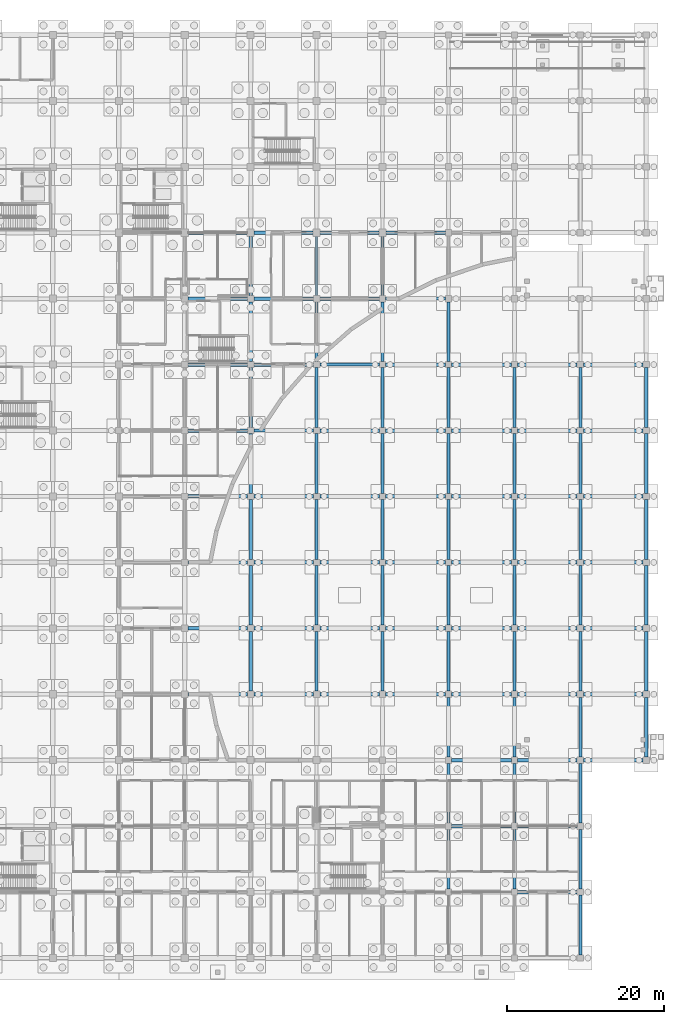
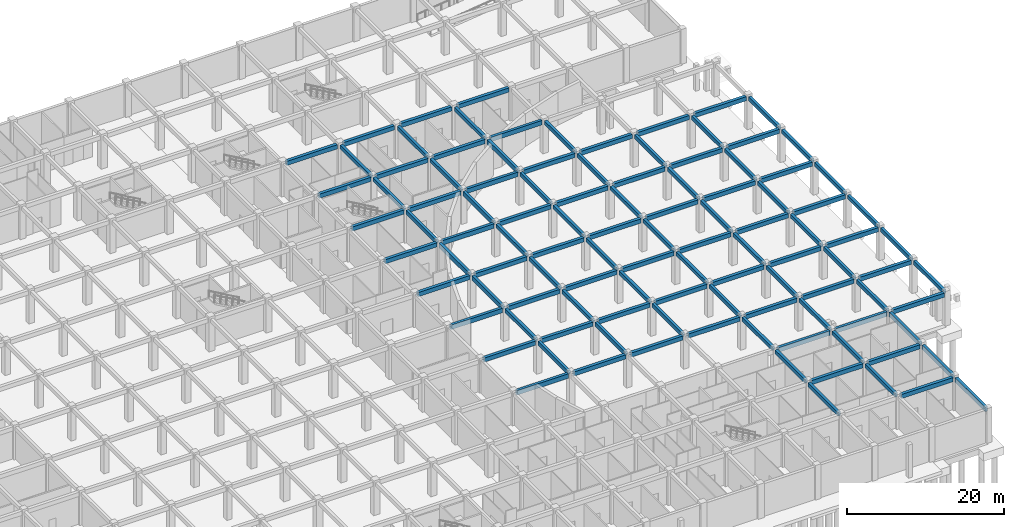
# One storey, part 24 of 65: 109 beams.
"""IFC4 building model written with IfcOpenShell, lengths in metres."""

from ifc_helpers import new_model, si_unit, direction, frame, origin, origin_2d, place, context, subcontext, project, spatial, rectangle, extrude, material, material_profile, profile_set, type_object, element, save


model = new_model("IFC4")

# Units and contexts
model_context = context("Model", 3, precision=1e-05, world=origin(), true_north=direction((0.0, 1.0)))
body_context = subcontext(model_context, "Body", "Model", "MODEL_VIEW")
ifc_project = project(units=[si_unit("LENGTHUNIT", "METRE"), si_unit("AREAUNIT", "SQUARE_METRE"), si_unit("VOLUMEUNIT", "CUBIC_METRE"), si_unit("PLANEANGLEUNIT", "RADIAN"), si_unit("MASSUNIT", "GRAM", prefix="KILO")], contexts=[model_context])

# Site, building, storey
site_placement = place(None, origin())
site = spatial("IfcSite", under=ifc_project, at=site_placement, CompositionType="ELEMENT")
building_placement = place(site_placement, origin())
building = spatial("IfcBuilding", under=site, at=building_placement, Name="Bramfleet General Hospital", CompositionType="ELEMENT")
storey_placement = place(building_placement, frame((0.0, 0.0, -5.39990234375)))
storey = spatial("IfcBuildingStorey", under=building, at=storey_placement, Name="B1", CompositionType="ELEMENT", Elevation=-5.39990234375)

# Beams
ifc_material = material(Name="Concrete C35/45", Category="concrete")
ifc_material_profile_1 = material_profile(ifc_material, rectangle(XDim=0.39990234375, YDim=0.60009765625, at=origin_2d()), Name="RC BM 600x400")
ifc_profile_set_1 = profile_set([ifc_material_profile_1], Name="Concrete C35/45")
beam_type_1 = type_object("IfcBeamType", Name="BM-RC600", PredefinedType="BEAM", material=ifc_profile_set_1)
for number, where, z_axis, x_axis, name in (
    (1, (134.39990234375, 34.0, 4.77978515625), (0.0, 1.0, 0.0), (-1.0, 0.0, 0.0), "B1 Grid Beam Y 16-04"),
    (2, (134.39990234375, 42.39990234375, 4.77978515625), (0.0, 1.0, 0.0), (-1.0, 0.0, 0.0), "B1 Grid Beam Y 16-05"),
):
    element("IfcBeam", number, at=place(storey_placement, frame(where, z_axis=z_axis, x_axis=x_axis)), inside=storey, type_object=beam_type_1, Name=name, PredefinedType="BEAM", context=body_context, shape_type="SweptSolid", body=[
        extrude(rectangle(XDim=0.39990234375, YDim=0.60009765625, at=origin_2d()), origin(), (0.0, 0.0, 1.0), 7.60009765625),
    ])
beam_1_placement = place(storey_placement, frame((134.39990234375, 67.60009765625, 4.77978515625), z_axis=(0.0, 1.0, 0.0), x_axis=(-1.0, 0.0, 0.0)))
element("IfcBeam", 3, at=beam_1_placement, inside=storey, type_object=beam_type_1, Name="B1 Grid Beam Y 16-08", PredefinedType="BEAM", context=body_context, shape_type="SweptSolid", body=[
    extrude(rectangle(XDim=0.39990234375, YDim=0.60009765625, at=origin_2d()), origin(), (0.0, 0.0, 1.0), 7.599853515625),
])
beam_2_placement = place(storey_placement, frame((134.39990234375, 76.0, 4.77978515625), z_axis=(0.0, 1.0, 0.0), x_axis=(-1.0, 0.0, 0.0)))
element("IfcBeam", 4, at=beam_2_placement, inside=storey, type_object=beam_type_1, Name="B1 Grid Beam Y 16-09", PredefinedType="BEAM", context=body_context, shape_type="SweptSolid", body=[
    extrude(rectangle(XDim=0.39990234375, YDim=0.60009765625, at=origin_2d()), origin(), (0.0, 0.0, 1.0), 7.60009765625),
])
beam_3_placement = place(storey_placement, frame((134.39990234375, 84.39990234375, 4.77978515625), z_axis=(0.0, 1.0, 0.0), x_axis=(-1.0, 0.0, 0.0)))
element("IfcBeam", 5, at=beam_3_placement, inside=storey, type_object=beam_type_1, Name="B1 Grid Beam Y 16-10", PredefinedType="BEAM", context=body_context, shape_type="SweptSolid", body=[
    extrude(rectangle(XDim=0.39990234375, YDim=0.60009765625, at=origin_2d()), origin(), (0.0, 0.0, 1.0), 7.550048828125),
])
for number, where, z_axis, x_axis, name in (
    (6, (142.800048828125, 34.0, 4.77978515625), (0.0, 1.0, 0.0), (-1.0, 0.0, 0.0), "B1 Grid Beam Y 17-04"),
    (7, (142.800048828125, 42.39990234375, 4.77978515625), (0.0, 1.0, 0.0), (-1.0, 0.0, 0.0), "B1 Grid Beam Y 17-05"),
):
    element("IfcBeam", number, at=place(storey_placement, frame(where, z_axis=z_axis, x_axis=x_axis)), inside=storey, type_object=beam_type_1, Name=name, PredefinedType="BEAM", context=body_context, shape_type="SweptSolid", body=[
        extrude(rectangle(XDim=0.39990234375, YDim=0.60009765625, at=origin_2d()), origin(), (0.0, 0.0, 1.0), 7.60009765625),
    ])
beam_4_placement = place(storey_placement, frame((142.800048828125, 50.800048828125, 4.77978515625), z_axis=(0.0, 1.0, 0.0), x_axis=(-1.0, 0.0, 0.0)))
element("IfcBeam", 8, at=beam_4_placement, inside=storey, type_object=beam_type_1, Name="B1 Grid Beam Y 17-06", PredefinedType="BEAM", context=body_context, shape_type="SweptSolid", body=[
    extrude(rectangle(XDim=0.39990234375, YDim=0.60009765625, at=origin_2d()), origin(), (0.0, 0.0, 1.0), 7.599853515625),
])
for number, where, z_axis, x_axis, name in (
    (9, (142.800048828125, 59.199951171875, 4.77978515625), (0.0, 1.0, 0.0), (-1.0, 0.0, 0.0), "B1 Grid Beam Y 17-07"),
    (10, (142.800048828125, 76.0, 4.77978515625), (0.0, 1.0, 0.0), (-1.0, 0.0, 0.0), "B1 Grid Beam Y 17-09"),
):
    element("IfcBeam", number, at=place(storey_placement, frame(where, z_axis=z_axis, x_axis=x_axis)), inside=storey, type_object=beam_type_1, Name=name, PredefinedType="BEAM", context=body_context, shape_type="SweptSolid", body=[
        extrude(rectangle(XDim=0.39990234375, YDim=0.60009765625, at=origin_2d()), origin(), (0.0, 0.0, 1.0), 7.60009765625),
    ])
beam_5_placement = place(storey_placement, frame((142.800048828125, 84.39990234375, 4.77978515625), z_axis=(0.0, 1.0, 0.0), x_axis=(-1.0, 0.0, 0.0)))
element("IfcBeam", 11, at=beam_5_placement, inside=storey, type_object=beam_type_1, Name="B1 Grid Beam Y 17-10", PredefinedType="BEAM", context=body_context, shape_type="SweptSolid", body=[
    extrude(rectangle(XDim=0.39990234375, YDim=0.60009765625, at=origin_2d()), origin(), (0.0, 0.0, 1.0), 7.550048828125),
])
for number, where, z_axis, x_axis, name in (
    (12, (151.199951171875, 34.0, 4.77978515625), (0.0, 1.0, 0.0), (-1.0, 0.0, 0.0), "B1 Grid Beam Y 18-04"),
    (13, (151.199951171875, 42.39990234375, 4.77978515625), (0.0, 1.0, 0.0), (-1.0, 0.0, 0.0), "B1 Grid Beam Y 18-05"),
):
    element("IfcBeam", number, at=place(storey_placement, frame(where, z_axis=z_axis, x_axis=x_axis)), inside=storey, type_object=beam_type_1, Name=name, PredefinedType="BEAM", context=body_context, shape_type="SweptSolid", body=[
        extrude(rectangle(XDim=0.39990234375, YDim=0.60009765625, at=origin_2d()), origin(), (0.0, 0.0, 1.0), 7.60009765625),
    ])
beam_6_placement = place(storey_placement, frame((151.199951171875, 50.800048828125, 4.77978515625), z_axis=(0.0, 1.0, 0.0), x_axis=(-1.0, 0.0, 0.0)))
element("IfcBeam", 14, at=beam_6_placement, inside=storey, type_object=beam_type_1, Name="B1 Grid Beam Y 18-06", PredefinedType="BEAM", context=body_context, shape_type="SweptSolid", body=[
    extrude(rectangle(XDim=0.39990234375, YDim=0.60009765625, at=origin_2d()), origin(), (0.0, 0.0, 1.0), 7.599853515625),
])
beam_7_placement = place(storey_placement, frame((151.199951171875, 59.199951171875, 4.77978515625), z_axis=(0.0, 1.0, 0.0), x_axis=(-1.0, 0.0, 0.0)))
element("IfcBeam", 15, at=beam_7_placement, inside=storey, type_object=beam_type_1, Name="B1 Grid Beam Y 18-07", PredefinedType="BEAM", context=body_context, shape_type="SweptSolid", body=[
    extrude(rectangle(XDim=0.39990234375, YDim=0.60009765625, at=origin_2d()), origin(), (0.0, 0.0, 1.0), 7.60009765625),
])
beam_8_placement = place(storey_placement, frame((151.199951171875, 67.60009765625, 4.77978515625), z_axis=(0.0, 1.0, 0.0), x_axis=(-1.0, 0.0, 0.0)))
element("IfcBeam", 16, at=beam_8_placement, inside=storey, type_object=beam_type_1, Name="B1 Grid Beam Y 18-08", PredefinedType="BEAM", context=body_context, shape_type="SweptSolid", body=[
    extrude(rectangle(XDim=0.39990234375, YDim=0.60009765625, at=origin_2d()), origin(), (0.0, 0.0, 1.0), 7.599853515625),
])
beam_9_placement = place(storey_placement, frame((151.199951171875, 84.39990234375, 4.77978515625), z_axis=(0.0, 1.0, 0.0), x_axis=(-1.0, 0.0, 0.0)))
element("IfcBeam", 17, at=beam_9_placement, inside=storey, type_object=beam_type_1, Name="B1 Grid Beam Y 18-10", PredefinedType="BEAM", context=body_context, shape_type="SweptSolid", body=[
    extrude(rectangle(XDim=0.39990234375, YDim=0.60009765625, at=origin_2d()), origin(), (0.0, 0.0, 1.0), 7.550048828125),
])
beam_10_placement = place(storey_placement, frame((159.60009765625, 8.800048828125, 4.77978515625), z_axis=(0.0, 1.0, 0.0), x_axis=(-1.0, 0.0, 0.0)))
element("IfcBeam", 18, at=beam_10_placement, inside=storey, type_object=beam_type_1, Name="B1 Grid Beam Y 19-01", PredefinedType="BEAM", context=body_context, shape_type="SweptSolid", body=[
    extrude(rectangle(XDim=0.39990234375, YDim=0.60009765625, at=origin_2d()), origin(), (0.0, 0.0, 1.0), 7.599853515625),
])
beam_11_placement = place(storey_placement, frame((159.60009765625, 17.199951171875, 4.77978515625), z_axis=(0.0, 1.0, 0.0), x_axis=(-1.0, 0.0, 0.0)))
element("IfcBeam", 19, at=beam_11_placement, inside=storey, type_object=beam_type_1, Name="B1 Grid Beam Y 19-02", PredefinedType="BEAM", context=body_context, shape_type="SweptSolid", body=[
    extrude(rectangle(XDim=0.39990234375, YDim=0.60009765625, at=origin_2d()), origin(), (0.0, 0.0, 1.0), 7.60009765625),
])
beam_12_placement = place(storey_placement, frame((159.60009765625, 25.60009765625, 4.77978515625), z_axis=(0.0, 1.0, 0.0), x_axis=(-1.0, 0.0, 0.0)))
element("IfcBeam", 20, at=beam_12_placement, inside=storey, type_object=beam_type_1, Name="B1 Grid Beam Y 19-03", PredefinedType="BEAM", context=body_context, shape_type="SweptSolid", body=[
    extrude(rectangle(XDim=0.39990234375, YDim=0.60009765625, at=origin_2d()), origin(), (0.0, 0.0, 1.0), 7.599853515625),
])
for number, where, z_axis, x_axis, name in (
    (21, (159.60009765625, 34.0, 4.77978515625), (0.0, 1.0, 0.0), (-1.0, 0.0, 0.0), "B1 Grid Beam Y 19-04"),
    (22, (159.60009765625, 42.39990234375, 4.77978515625), (0.0, 1.0, 0.0), (-1.0, 0.0, 0.0), "B1 Grid Beam Y 19-05"),
):
    element("IfcBeam", number, at=place(storey_placement, frame(where, z_axis=z_axis, x_axis=x_axis)), inside=storey, type_object=beam_type_1, Name=name, PredefinedType="BEAM", context=body_context, shape_type="SweptSolid", body=[
        extrude(rectangle(XDim=0.39990234375, YDim=0.60009765625, at=origin_2d()), origin(), (0.0, 0.0, 1.0), 7.60009765625),
    ])
beam_13_placement = place(storey_placement, frame((159.60009765625, 50.800048828125, 4.77978515625), z_axis=(0.0, 1.0, 0.0), x_axis=(-1.0, 0.0, 0.0)))
element("IfcBeam", 23, at=beam_13_placement, inside=storey, type_object=beam_type_1, Name="B1 Grid Beam Y 19-06", PredefinedType="BEAM", context=body_context, shape_type="SweptSolid", body=[
    extrude(rectangle(XDim=0.39990234375, YDim=0.60009765625, at=origin_2d()), origin(), (0.0, 0.0, 1.0), 7.599853515625),
])
beam_14_placement = place(storey_placement, frame((159.60009765625, 59.199951171875, 4.77978515625), z_axis=(0.0, 1.0, 0.0), x_axis=(-1.0, 0.0, 0.0)))
element("IfcBeam", 24, at=beam_14_placement, inside=storey, type_object=beam_type_1, Name="B1 Grid Beam Y 19-07", PredefinedType="BEAM", context=body_context, shape_type="SweptSolid", body=[
    extrude(rectangle(XDim=0.39990234375, YDim=0.60009765625, at=origin_2d()), origin(), (0.0, 0.0, 1.0), 7.60009765625),
])
beam_15_placement = place(storey_placement, frame((159.60009765625, 67.60009765625, 4.77978515625), z_axis=(0.0, 1.0, 0.0), x_axis=(-1.0, 0.0, 0.0)))
element("IfcBeam", 25, at=beam_15_placement, inside=storey, type_object=beam_type_1, Name="B1 Grid Beam Y 19-08", PredefinedType="BEAM", context=body_context, shape_type="SweptSolid", body=[
    extrude(rectangle(XDim=0.39990234375, YDim=0.60009765625, at=origin_2d()), origin(), (0.0, 0.0, 1.0), 7.599853515625),
])
beam_16_placement = place(storey_placement, frame((159.60009765625, 76.0, 4.77978515625), z_axis=(0.0, 1.0, 0.0), x_axis=(-1.0, 0.0, 0.0)))
element("IfcBeam", 26, at=beam_16_placement, inside=storey, type_object=beam_type_1, Name="B1 Grid Beam Y 19-09", PredefinedType="BEAM", context=body_context, shape_type="SweptSolid", body=[
    extrude(rectangle(XDim=0.39990234375, YDim=0.60009765625, at=origin_2d()), origin(), (0.0, 0.0, 1.0), 7.60009765625),
])
beam_17_placement = place(storey_placement, frame((168.0, 8.800048828125, 4.77978515625), z_axis=(0.0, 1.0, 0.0), x_axis=(-1.0, 0.0, 0.0)))
element("IfcBeam", 27, at=beam_17_placement, inside=storey, type_object=beam_type_1, Name="B1 Grid Beam Y 20-01", PredefinedType="BEAM", context=body_context, shape_type="SweptSolid", body=[
    extrude(rectangle(XDim=0.39990234375, YDim=0.60009765625, at=origin_2d()), origin(), (0.0, 0.0, 1.0), 7.599853515625),
])
beam_18_placement = place(storey_placement, frame((168.0, 17.199951171875, 4.77978515625), z_axis=(0.0, 1.0, 0.0), x_axis=(-1.0, 0.0, 0.0)))
element("IfcBeam", 28, at=beam_18_placement, inside=storey, type_object=beam_type_1, Name="B1 Grid Beam Y 20-02", PredefinedType="BEAM", context=body_context, shape_type="SweptSolid", body=[
    extrude(rectangle(XDim=0.39990234375, YDim=0.60009765625, at=origin_2d()), origin(), (0.0, 0.0, 1.0), 7.60009765625),
])
beam_19_placement = place(storey_placement, frame((168.0, 25.60009765625, 4.77978515625), z_axis=(0.0, 1.0, 0.0), x_axis=(-1.0, 0.0, 0.0)))
element("IfcBeam", 29, at=beam_19_placement, inside=storey, type_object=beam_type_1, Name="B1 Grid Beam Y 20-03", PredefinedType="BEAM", context=body_context, shape_type="SweptSolid", body=[
    extrude(rectangle(XDim=0.39990234375, YDim=0.60009765625, at=origin_2d()), origin(), (0.0, 0.0, 1.0), 7.599853515625),
])
for number, where, z_axis, x_axis, name in (
    (30, (168.0, 34.0, 4.77978515625), (0.0, 1.0, 0.0), (-1.0, 0.0, 0.0), "B1 Grid Beam Y 20-04"),
    (31, (168.0, 42.39990234375, 4.77978515625), (0.0, 1.0, 0.0), (-1.0, 0.0, 0.0), "B1 Grid Beam Y 20-05"),
):
    element("IfcBeam", number, at=place(storey_placement, frame(where, z_axis=z_axis, x_axis=x_axis)), inside=storey, type_object=beam_type_1, Name=name, PredefinedType="BEAM", context=body_context, shape_type="SweptSolid", body=[
        extrude(rectangle(XDim=0.39990234375, YDim=0.60009765625, at=origin_2d()), origin(), (0.0, 0.0, 1.0), 7.60009765625),
    ])
beam_20_placement = place(storey_placement, frame((168.0, 50.800048828125, 4.77978515625), z_axis=(0.0, 1.0, 0.0), x_axis=(-1.0, 0.0, 0.0)))
element("IfcBeam", 32, at=beam_20_placement, inside=storey, type_object=beam_type_1, Name="B1 Grid Beam Y 20-06", PredefinedType="BEAM", context=body_context, shape_type="SweptSolid", body=[
    extrude(rectangle(XDim=0.39990234375, YDim=0.60009765625, at=origin_2d()), origin(), (0.0, 0.0, 1.0), 7.599853515625),
])
beam_21_placement = place(storey_placement, frame((168.0, 59.199951171875, 4.77978515625), z_axis=(0.0, 1.0, 0.0), x_axis=(-1.0, 0.0, 0.0)))
element("IfcBeam", 33, at=beam_21_placement, inside=storey, type_object=beam_type_1, Name="B1 Grid Beam Y 20-07", PredefinedType="BEAM", context=body_context, shape_type="SweptSolid", body=[
    extrude(rectangle(XDim=0.39990234375, YDim=0.60009765625, at=origin_2d()), origin(), (0.0, 0.0, 1.0), 7.60009765625),
])
for number, where, z_axis, x_axis, name in (
    (34, (168.0, 67.60009765625, 4.77978515625), (0.0, 1.0, 0.0), (-1.0, 0.0, 0.0), "B1 Grid Beam Y 20-08"),
    (35, (176.39990234375, 25.60009765625, 4.77978515625), (0.0, 1.0, 0.0), (-1.0, 0.0, 0.0), "B1 Grid Beam Y 21-03"),
):
    element("IfcBeam", number, at=place(storey_placement, frame(where, z_axis=z_axis, x_axis=x_axis)), inside=storey, type_object=beam_type_1, Name=name, PredefinedType="BEAM", context=body_context, shape_type="SweptSolid", body=[
        extrude(rectangle(XDim=0.39990234375, YDim=0.60009765625, at=origin_2d()), origin(), (0.0, 0.0, 1.0), 7.599853515625),
    ])
for number, where, z_axis, x_axis, name in (
    (36, (176.39990234375, 34.0, 4.77978515625), (0.0, 1.0, 0.0), (-1.0, 0.0, 0.0), "B1 Grid Beam Y 21-04"),
    (37, (176.39990234375, 42.39990234375, 4.77978515625), (0.0, 1.0, 0.0), (-1.0, 0.0, 0.0), "B1 Grid Beam Y 21-05"),
):
    element("IfcBeam", number, at=place(storey_placement, frame(where, z_axis=z_axis, x_axis=x_axis)), inside=storey, type_object=beam_type_1, Name=name, PredefinedType="BEAM", context=body_context, shape_type="SweptSolid", body=[
        extrude(rectangle(XDim=0.39990234375, YDim=0.60009765625, at=origin_2d()), origin(), (0.0, 0.0, 1.0), 7.60009765625),
    ])
beam_22_placement = place(storey_placement, frame((176.39990234375, 50.800048828125, 4.77978515625), z_axis=(0.0, 1.0, 0.0), x_axis=(-1.0, 0.0, 0.0)))
element("IfcBeam", 38, at=beam_22_placement, inside=storey, type_object=beam_type_1, Name="B1 Grid Beam Y 21-06", PredefinedType="BEAM", context=body_context, shape_type="SweptSolid", body=[
    extrude(rectangle(XDim=0.39990234375, YDim=0.60009765625, at=origin_2d()), origin(), (0.0, 0.0, 1.0), 7.599853515625),
])
beam_23_placement = place(storey_placement, frame((176.39990234375, 59.199951171875, 4.77978515625), z_axis=(0.0, 1.0, 0.0), x_axis=(-1.0, 0.0, 0.0)))
element("IfcBeam", 39, at=beam_23_placement, inside=storey, type_object=beam_type_1, Name="B1 Grid Beam Y 21-07", PredefinedType="BEAM", context=body_context, shape_type="SweptSolid", body=[
    extrude(rectangle(XDim=0.39990234375, YDim=0.60009765625, at=origin_2d()), origin(), (0.0, 0.0, 1.0), 7.60009765625),
])
for number, where, z_axis, x_axis, name in (
    (40, (176.39990234375, 67.60009765625, 4.77978515625), (0.0, 1.0, 0.0), (-1.0, 0.0, 0.0), "B1 Grid Beam Y 21-08"),
    (41, (184.800048828125, 25.60009765625, 4.77978515625), (0.0, 1.0, 0.0), (-1.0, 0.0, 0.0), "B1 Grid Beam Y 22-03"),
):
    element("IfcBeam", number, at=place(storey_placement, frame(where, z_axis=z_axis, x_axis=x_axis)), inside=storey, type_object=beam_type_1, Name=name, PredefinedType="BEAM", context=body_context, shape_type="SweptSolid", body=[
        extrude(rectangle(XDim=0.39990234375, YDim=0.60009765625, at=origin_2d()), origin(), (0.0, 0.0, 1.0), 7.599853515625),
    ])
for number, where, z_axis, x_axis, name in (
    (42, (184.800048828125, 34.0, 4.77978515625), (0.0, 1.0, 0.0), (-1.0, 0.0, 0.0), "B1 Grid Beam Y 22-04"),
    (43, (184.800048828125, 42.39990234375, 4.77978515625), (0.0, 1.0, 0.0), (-1.0, 0.0, 0.0), "B1 Grid Beam Y 22-05"),
):
    element("IfcBeam", number, at=place(storey_placement, frame(where, z_axis=z_axis, x_axis=x_axis)), inside=storey, type_object=beam_type_1, Name=name, PredefinedType="BEAM", context=body_context, shape_type="SweptSolid", body=[
        extrude(rectangle(XDim=0.39990234375, YDim=0.60009765625, at=origin_2d()), origin(), (0.0, 0.0, 1.0), 7.60009765625),
    ])
beam_24_placement = place(storey_placement, frame((184.800048828125, 50.800048828125, 4.77978515625), z_axis=(0.0, 1.0, 0.0), x_axis=(-1.0, 0.0, 0.0)))
element("IfcBeam", 44, at=beam_24_placement, inside=storey, type_object=beam_type_1, Name="B1 Grid Beam Y 22-06", PredefinedType="BEAM", context=body_context, shape_type="SweptSolid", body=[
    extrude(rectangle(XDim=0.39990234375, YDim=0.60009765625, at=origin_2d()), origin(), (0.0, 0.0, 1.0), 7.599853515625),
])
beam_25_placement = place(storey_placement, frame((184.800048828125, 59.199951171875, 4.77978515625), z_axis=(0.0, 1.0, 0.0), x_axis=(-1.0, 0.0, 0.0)))
element("IfcBeam", 45, at=beam_25_placement, inside=storey, type_object=beam_type_1, Name="B1 Grid Beam Y 22-07", PredefinedType="BEAM", context=body_context, shape_type="SweptSolid", body=[
    extrude(rectangle(XDim=0.39990234375, YDim=0.60009765625, at=origin_2d()), origin(), (0.0, 0.0, 1.0), 7.60009765625),
])
beam_26_placement = place(storey_placement, frame((184.800048828125, 67.60009765625, 4.77978515625), z_axis=(0.0, 1.0, 0.0), x_axis=(-1.0, 0.0, 0.0)))
element("IfcBeam", 46, at=beam_26_placement, inside=storey, type_object=beam_type_1, Name="B1 Grid Beam Y 22-08", PredefinedType="BEAM", context=body_context, shape_type="SweptSolid", body=[
    extrude(rectangle(XDim=0.39990234375, YDim=0.60009765625, at=origin_2d()), origin(), (0.0, 0.0, 1.0), 7.599853515625),
])
ifc_material_profile_2 = material_profile(ifc_material, rectangle(XDim=0.449951171875, YDim=0.64990234375, at=origin_2d()), Name="RC BM 650x450")
ifc_profile_set_2 = profile_set([ifc_material_profile_2], Name="Concrete C35/45")
beam_type_2 = type_object("IfcBeamType", Name="BM-RC650", PredefinedType="BEAM", material=ifc_profile_set_2)
for number, where, z_axis, x_axis, name in (
    (47, (126.39990234375, 42.0, 4.7548828125), (1.0, 0.0, 0.0), (0.0, 1.0, 0.0), "B1 Grid Beam X 15-05"),
    (48, (126.39990234375, 58.800048828125, 4.7548828125), (1.0, 0.0, 0.0), (0.0, 1.0, 0.0), "B1 Grid Beam X 15-07"),
    (49, (126.39990234375, 67.199951171875, 4.7548828125), (1.0, 0.0, 0.0), (0.0, 1.0, 0.0), "B1 Grid Beam X 15-08"),
    (50, (126.39990234375, 75.60009765625, 4.7548828125), (1.0, 0.0, 0.0), (0.0, 1.0, 0.0), "B1 Grid Beam X 15-09"),
    (51, (126.39990234375, 84.0, 4.7548828125), (1.0, 0.0, 0.0), (0.0, 1.0, 0.0), "B1 Grid Beam X 15-10"),
):
    element("IfcBeam", number, at=place(storey_placement, frame(where, z_axis=z_axis, x_axis=x_axis)), inside=storey, type_object=beam_type_2, Name=name, PredefinedType="BEAM", context=body_context, shape_type="SweptSolid", body=[
        extrude(rectangle(XDim=0.449951171875, YDim=0.64990234375, at=origin_2d()), origin(), (0.0, 0.0, 1.0), 7.60009765625),
    ])
beam_27_placement = place(storey_placement, frame((126.449951171875, 92.39990234375, 4.7548828125), z_axis=(1.0, 0.0, 0.0), x_axis=(0.0, 1.0, 0.0)))
element("IfcBeam", 52, at=beam_27_placement, inside=storey, type_object=beam_type_2, Name="B1 Grid Beam X 15-11", PredefinedType="BEAM", context=body_context, shape_type="SweptSolid", body=[
    extrude(rectangle(XDim=0.449951171875, YDim=0.64990234375, at=origin_2d()), origin(), (0.0, 0.0, 1.0), 7.5),
])
for number, where, z_axis, x_axis, name in (
    (53, (134.800048828125, 33.60009765625, 4.7548828125), (1.0, 0.0, 0.0), (0.0, 1.0, 0.0), "B1 Grid Beam X 16-04"),
    (54, (134.800048828125, 42.0, 4.7548828125), (1.0, 0.0, 0.0), (0.0, 1.0, 0.0), "B1 Grid Beam X 16-05"),
    (55, (134.800048828125, 50.39990234375, 4.7548828125), (1.0, 0.0, 0.0), (0.0, 1.0, 0.0), "B1 Grid Beam X 16-06"),
    (56, (134.800048828125, 58.800048828125, 4.7548828125), (1.0, 0.0, 0.0), (0.0, 1.0, 0.0), "B1 Grid Beam X 16-07"),
    (57, (134.800048828125, 75.60009765625, 4.7548828125), (1.0, 0.0, 0.0), (0.0, 1.0, 0.0), "B1 Grid Beam X 16-09"),
    (58, (134.800048828125, 84.0, 4.7548828125), (1.0, 0.0, 0.0), (0.0, 1.0, 0.0), "B1 Grid Beam X 16-10"),
):
    element("IfcBeam", number, at=place(storey_placement, frame(where, z_axis=z_axis, x_axis=x_axis)), inside=storey, type_object=beam_type_2, Name=name, PredefinedType="BEAM", context=body_context, shape_type="SweptSolid", body=[
        extrude(rectangle(XDim=0.449951171875, YDim=0.64990234375, at=origin_2d()), origin(), (0.0, 0.0, 1.0), 7.599853515625),
    ])
beam_28_placement = place(storey_placement, frame((134.85009765625, 92.39990234375, 4.7548828125), z_axis=(1.0, 0.0, 0.0), x_axis=(0.0, 1.0, 0.0)))
element("IfcBeam", 59, at=beam_28_placement, inside=storey, type_object=beam_type_2, Name="B1 Grid Beam X 16-11", PredefinedType="BEAM", context=body_context, shape_type="SweptSolid", body=[
    extrude(rectangle(XDim=0.449951171875, YDim=0.64990234375, at=origin_2d()), origin(), (0.0, 0.0, 1.0), 7.5),
])
for number, where, z_axis, x_axis, name in (
    (60, (143.199951171875, 33.60009765625, 4.7548828125), (1.0, 0.0, 0.0), (0.0, 1.0, 0.0), "B1 Grid Beam X 17-04"),
    (61, (143.199951171875, 42.0, 4.7548828125), (1.0, 0.0, 0.0), (0.0, 1.0, 0.0), "B1 Grid Beam X 17-05"),
    (62, (143.199951171875, 50.39990234375, 4.7548828125), (1.0, 0.0, 0.0), (0.0, 1.0, 0.0), "B1 Grid Beam X 17-06"),
    (63, (143.199951171875, 58.800048828125, 4.7548828125), (1.0, 0.0, 0.0), (0.0, 1.0, 0.0), "B1 Grid Beam X 17-07"),
    (64, (143.199951171875, 67.199951171875, 4.7548828125), (1.0, 0.0, 0.0), (0.0, 1.0, 0.0), "B1 Grid Beam X 17-08"),
    (65, (143.199951171875, 84.0, 4.7548828125), (1.0, 0.0, 0.0), (0.0, 1.0, 0.0), "B1 Grid Beam X 17-10"),
):
    element("IfcBeam", number, at=place(storey_placement, frame(where, z_axis=z_axis, x_axis=x_axis)), inside=storey, type_object=beam_type_2, Name=name, PredefinedType="BEAM", context=body_context, shape_type="SweptSolid", body=[
        extrude(rectangle(XDim=0.449951171875, YDim=0.64990234375, at=origin_2d()), origin(), (0.0, 0.0, 1.0), 7.60009765625),
    ])
beam_29_placement = place(storey_placement, frame((143.25, 92.39990234375, 4.7548828125), z_axis=(1.0, 0.0, 0.0), x_axis=(0.0, 1.0, 0.0)))
element("IfcBeam", 66, at=beam_29_placement, inside=storey, type_object=beam_type_2, Name="B1 Grid Beam X 17-11", PredefinedType="BEAM", context=body_context, shape_type="SweptSolid", body=[
    extrude(rectangle(XDim=0.449951171875, YDim=0.64990234375, at=origin_2d()), origin(), (0.0, 0.0, 1.0), 7.5),
])
for number, where, z_axis, x_axis, name in (
    (67, (151.60009765625, 33.60009765625, 4.7548828125), (1.0, 0.0, 0.0), (0.0, 1.0, 0.0), "B1 Grid Beam X 18-04"),
    (68, (151.60009765625, 42.0, 4.7548828125), (1.0, 0.0, 0.0), (0.0, 1.0, 0.0), "B1 Grid Beam X 18-05"),
    (69, (151.60009765625, 50.39990234375, 4.7548828125), (1.0, 0.0, 0.0), (0.0, 1.0, 0.0), "B1 Grid Beam X 18-06"),
    (70, (151.60009765625, 58.800048828125, 4.7548828125), (1.0, 0.0, 0.0), (0.0, 1.0, 0.0), "B1 Grid Beam X 18-07"),
    (71, (151.60009765625, 67.199951171875, 4.7548828125), (1.0, 0.0, 0.0), (0.0, 1.0, 0.0), "B1 Grid Beam X 18-08"),
    (72, (151.60009765625, 75.60009765625, 4.7548828125), (1.0, 0.0, 0.0), (0.0, 1.0, 0.0), "B1 Grid Beam X 18-09"),
):
    element("IfcBeam", number, at=place(storey_placement, frame(where, z_axis=z_axis, x_axis=x_axis)), inside=storey, type_object=beam_type_2, Name=name, PredefinedType="BEAM", context=body_context, shape_type="SweptSolid", body=[
        extrude(rectangle(XDim=0.449951171875, YDim=0.64990234375, at=origin_2d()), origin(), (0.0, 0.0, 1.0), 7.599853515625),
    ])
beam_30_placement = place(storey_placement, frame((151.64990234375, 92.39990234375, 4.7548828125), z_axis=(1.0, 0.0, 0.0), x_axis=(0.0, 1.0, 0.0)))
element("IfcBeam", 73, at=beam_30_placement, inside=storey, type_object=beam_type_2, Name="B1 Grid Beam X 18-11", PredefinedType="BEAM", context=body_context, shape_type="SweptSolid", body=[
    extrude(rectangle(XDim=0.449951171875, YDim=0.64990234375, at=origin_2d()), origin(), (0.0, 0.0, 1.0), 7.550048828125),
])
for number, where, z_axis, x_axis, name in (
    (74, (160.0, 16.800048828125, 4.7548828125), (1.0, 0.0, 0.0), (0.0, 1.0, 0.0), "B1 Grid Beam X 19-02"),
    (75, (160.0, 33.60009765625, 4.7548828125), (1.0, 0.0, 0.0), (0.0, 1.0, 0.0), "B1 Grid Beam X 19-04"),
    (76, (160.0, 42.0, 4.7548828125), (1.0, 0.0, 0.0), (0.0, 1.0, 0.0), "B1 Grid Beam X 19-05"),
    (77, (160.0, 50.39990234375, 4.7548828125), (1.0, 0.0, 0.0), (0.0, 1.0, 0.0), "B1 Grid Beam X 19-06"),
    (78, (160.0, 58.800048828125, 4.7548828125), (1.0, 0.0, 0.0), (0.0, 1.0, 0.0), "B1 Grid Beam X 19-07"),
    (79, (160.0, 67.199951171875, 4.7548828125), (1.0, 0.0, 0.0), (0.0, 1.0, 0.0), "B1 Grid Beam X 19-08"),
    (80, (160.0, 75.60009765625, 4.7548828125), (1.0, 0.0, 0.0), (0.0, 1.0, 0.0), "B1 Grid Beam X 19-09"),
    (81, (168.39990234375, 8.39990234375, 4.7548828125), (1.0, 0.0, 0.0), (0.0, 1.0, 0.0), "B1 Grid Beam X 20-01"),
    (82, (168.39990234375, 16.800048828125, 4.7548828125), (1.0, 0.0, 0.0), (0.0, 1.0, 0.0), "B1 Grid Beam X 20-02"),
    (83, (168.39990234375, 33.60009765625, 4.7548828125), (1.0, 0.0, 0.0), (0.0, 1.0, 0.0), "B1 Grid Beam X 20-04"),
    (84, (168.39990234375, 42.0, 4.7548828125), (1.0, 0.0, 0.0), (0.0, 1.0, 0.0), "B1 Grid Beam X 20-05"),
    (85, (168.39990234375, 50.39990234375, 4.7548828125), (1.0, 0.0, 0.0), (0.0, 1.0, 0.0), "B1 Grid Beam X 20-06"),
    (86, (168.39990234375, 58.800048828125, 4.7548828125), (1.0, 0.0, 0.0), (0.0, 1.0, 0.0), "B1 Grid Beam X 20-07"),
    (87, (168.39990234375, 67.199951171875, 4.7548828125), (1.0, 0.0, 0.0), (0.0, 1.0, 0.0), "B1 Grid Beam X 20-08"),
    (88, (168.39990234375, 75.60009765625, 4.7548828125), (1.0, 0.0, 0.0), (0.0, 1.0, 0.0), "B1 Grid Beam X 20-09"),
):
    element("IfcBeam", number, at=place(storey_placement, frame(where, z_axis=z_axis, x_axis=x_axis)), inside=storey, type_object=beam_type_2, Name=name, PredefinedType="BEAM", context=body_context, shape_type="SweptSolid", body=[
        extrude(rectangle(XDim=0.449951171875, YDim=0.64990234375, at=origin_2d()), origin(), (0.0, 0.0, 1.0), 7.60009765625),
    ])
for number, where, z_axis, x_axis, name in (
    (89, (176.800048828125, 25.199951171875, 4.7548828125), (1.0, 0.0, 0.0), (0.0, 1.0, 0.0), "B1 Grid Beam X 21-03"),
    (90, (176.800048828125, 33.60009765625, 4.7548828125), (1.0, 0.0, 0.0), (0.0, 1.0, 0.0), "B1 Grid Beam X 21-04"),
    (91, (176.800048828125, 42.0, 4.7548828125), (1.0, 0.0, 0.0), (0.0, 1.0, 0.0), "B1 Grid Beam X 21-05"),
    (92, (176.800048828125, 50.39990234375, 4.7548828125), (1.0, 0.0, 0.0), (0.0, 1.0, 0.0), "B1 Grid Beam X 21-06"),
    (93, (176.800048828125, 58.800048828125, 4.7548828125), (1.0, 0.0, 0.0), (0.0, 1.0, 0.0), "B1 Grid Beam X 21-07"),
    (94, (176.800048828125, 67.199951171875, 4.7548828125), (1.0, 0.0, 0.0), (0.0, 1.0, 0.0), "B1 Grid Beam X 21-08"),
    (95, (176.800048828125, 75.60009765625, 4.7548828125), (1.0, 0.0, 0.0), (0.0, 1.0, 0.0), "B1 Grid Beam X 21-09"),
):
    element("IfcBeam", number, at=place(storey_placement, frame(where, z_axis=z_axis, x_axis=x_axis)), inside=storey, type_object=beam_type_2, Name=name, PredefinedType="BEAM", context=body_context, shape_type="SweptSolid", body=[
        extrude(rectangle(XDim=0.449951171875, YDim=0.64990234375, at=origin_2d()), origin(), (0.0, 0.0, 1.0), 7.599853515625),
    ])
ifc_material_profile_3 = material_profile(ifc_material, rectangle(XDim=0.39990234375, YDim=0.699951171875, at=origin_2d()), Name="RC SP 700x400")
ifc_profile_set_3 = profile_set([ifc_material_profile_3], Name="Concrete C35/45")
beam_type_3 = type_object("IfcBeamType", Name="BM-SP700", PredefinedType="SPANDREL", material=ifc_profile_set_3)
for number, where, z_axis, x_axis, name in (
    (96, (126.39990234375, 33.60009765625, 4.72998046875), (1.0, 0.0, 0.0), (0.0, 1.0, 0.0), "B1 Grid Beam X 15-04"),
    (97, (126.39990234375, 50.39990234375, 4.72998046875), (1.0, 0.0, 0.0), (0.0, 1.0, 0.0), "B1 Grid Beam X 15-06"),
):
    element("IfcBeam", number, at=place(storey_placement, frame(where, z_axis=z_axis, x_axis=x_axis)), inside=storey, type_object=beam_type_3, Name=name, PredefinedType="SPANDREL", context=body_context, shape_type="SweptSolid", body=[
        extrude(rectangle(XDim=0.39990234375, YDim=0.699951171875, at=origin_2d()), origin(), (0.0, 0.0, 1.0), 7.60009765625),
    ])
beam_31_placement = place(storey_placement, frame((134.800048828125, 67.199951171875, 4.72998046875), z_axis=(1.0, 0.0, 0.0), x_axis=(0.0, 1.0, 0.0)))
element("IfcBeam", 98, at=beam_31_placement, inside=storey, type_object=beam_type_3, Name="B1 Grid Beam X 16-08", PredefinedType="SPANDREL", context=body_context, shape_type="SweptSolid", body=[
    extrude(rectangle(XDim=0.39990234375, YDim=0.699951171875, at=origin_2d()), origin(), (0.0, 0.0, 1.0), 7.599853515625),
])
beam_32_placement = place(storey_placement, frame((143.199951171875, 75.60009765625, 4.72998046875), z_axis=(1.0, 0.0, 0.0), x_axis=(0.0, 1.0, 0.0)))
element("IfcBeam", 99, at=beam_32_placement, inside=storey, type_object=beam_type_3, Name="B1 Grid Beam X 17-09", PredefinedType="SPANDREL", context=body_context, shape_type="SweptSolid", body=[
    extrude(rectangle(XDim=0.39990234375, YDim=0.699951171875, at=origin_2d()), origin(), (0.0, 0.0, 1.0), 7.60009765625),
])
beam_33_placement = place(storey_placement, frame((151.60009765625, 84.0, 4.72998046875), z_axis=(1.0, 0.0, 0.0), x_axis=(0.0, 1.0, 0.0)))
element("IfcBeam", 100, at=beam_33_placement, inside=storey, type_object=beam_type_3, Name="B1 Grid Beam X 18-10", PredefinedType="SPANDREL", context=body_context, shape_type="SweptSolid", body=[
    extrude(rectangle(XDim=0.39990234375, YDim=0.699951171875, at=origin_2d()), origin(), (0.0, 0.0, 1.0), 7.599853515625),
])
for number, where, z_axis, x_axis, name in (
    (101, (160.0, 25.199951171875, 4.72998046875), (1.0, 0.0, 0.0), (0.0, 1.0, 0.0), "B1 Grid Beam X 19-03"),
    (102, (168.39990234375, 25.199951171875, 4.72998046875), (1.0, 0.0, 0.0), (0.0, 1.0, 0.0), "B1 Grid Beam X 20-03"),
):
    element("IfcBeam", number, at=place(storey_placement, frame(where, z_axis=z_axis, x_axis=x_axis)), inside=storey, type_object=beam_type_3, Name=name, PredefinedType="SPANDREL", context=body_context, shape_type="SweptSolid", body=[
        extrude(rectangle(XDim=0.39990234375, YDim=0.699951171875, at=origin_2d()), origin(), (0.0, 0.0, 1.0), 7.60009765625),
    ])
beam_34_placement = place(storey_placement, frame((134.39990234375, 50.800048828125, 4.72998046875), z_axis=(0.0, 1.0, 0.0), x_axis=(-1.0, 0.0, 0.0)))
element("IfcBeam", 103, at=beam_34_placement, inside=storey, type_object=beam_type_3, Name="B1 Grid Beam Y 16-06", PredefinedType="SPANDREL", context=body_context, shape_type="SweptSolid", body=[
    extrude(rectangle(XDim=0.39990234375, YDim=0.699951171875, at=origin_2d()), origin(), (0.0, 0.0, 1.0), 7.599853515625),
])
beam_35_placement = place(storey_placement, frame((134.39990234375, 59.199951171875, 4.72998046875), z_axis=(0.0, 1.0, 0.0), x_axis=(-1.0, 0.0, 0.0)))
element("IfcBeam", 104, at=beam_35_placement, inside=storey, type_object=beam_type_3, Name="B1 Grid Beam Y 16-07", PredefinedType="SPANDREL", context=body_context, shape_type="SweptSolid", body=[
    extrude(rectangle(XDim=0.39990234375, YDim=0.699951171875, at=origin_2d()), origin(), (0.0, 0.0, 1.0), 7.60009765625),
])
beam_36_placement = place(storey_placement, frame((142.800048828125, 67.60009765625, 4.72998046875), z_axis=(0.0, 1.0, 0.0), x_axis=(-1.0, 0.0, 0.0)))
element("IfcBeam", 105, at=beam_36_placement, inside=storey, type_object=beam_type_3, Name="B1 Grid Beam Y 17-08", PredefinedType="SPANDREL", context=body_context, shape_type="SweptSolid", body=[
    extrude(rectangle(XDim=0.39990234375, YDim=0.699951171875, at=origin_2d()), origin(), (0.0, 0.0, 1.0), 7.599853515625),
])
for number, where, z_axis, x_axis, name in (
    (106, (151.199951171875, 76.0, 4.72998046875), (0.0, 1.0, 0.0), (-1.0, 0.0, 0.0), "B1 Grid Beam Y 18-09"),
    (107, (176.39990234375, 0.39990234375, 4.72998046875), (0.0, 1.0, 0.0), (-1.0, 0.0, 0.0), "B1 Grid Beam Y 21-00"),
):
    element("IfcBeam", number, at=place(storey_placement, frame(where, z_axis=z_axis, x_axis=x_axis)), inside=storey, type_object=beam_type_3, Name=name, PredefinedType="SPANDREL", context=body_context, shape_type="SweptSolid", body=[
        extrude(rectangle(XDim=0.39990234375, YDim=0.699951171875, at=origin_2d()), origin(), (0.0, 0.0, 1.0), 7.60009765625),
    ])
beam_37_placement = place(storey_placement, frame((176.39990234375, 8.800048828125, 4.72998046875), z_axis=(0.0, 1.0, 0.0), x_axis=(-1.0, 0.0, 0.0)))
element("IfcBeam", 108, at=beam_37_placement, inside=storey, type_object=beam_type_3, Name="B1 Grid Beam Y 21-01", PredefinedType="SPANDREL", context=body_context, shape_type="SweptSolid", body=[
    extrude(rectangle(XDim=0.39990234375, YDim=0.699951171875, at=origin_2d()), origin(), (0.0, 0.0, 1.0), 7.599853515625),
])
beam_38_placement = place(storey_placement, frame((176.39990234375, 17.199951171875, 4.72998046875), z_axis=(0.0, 1.0, 0.0), x_axis=(-1.0, 0.0, 0.0)))
element("IfcBeam", 109, at=beam_38_placement, inside=storey, type_object=beam_type_3, Name="B1 Grid Beam Y 21-02", PredefinedType="SPANDREL", context=body_context, shape_type="SweptSolid", body=[
    extrude(rectangle(XDim=0.39990234375, YDim=0.699951171875, at=origin_2d()), origin(), (0.0, 0.0, 1.0), 7.60009765625),
])

save(model, "model.ifc")
